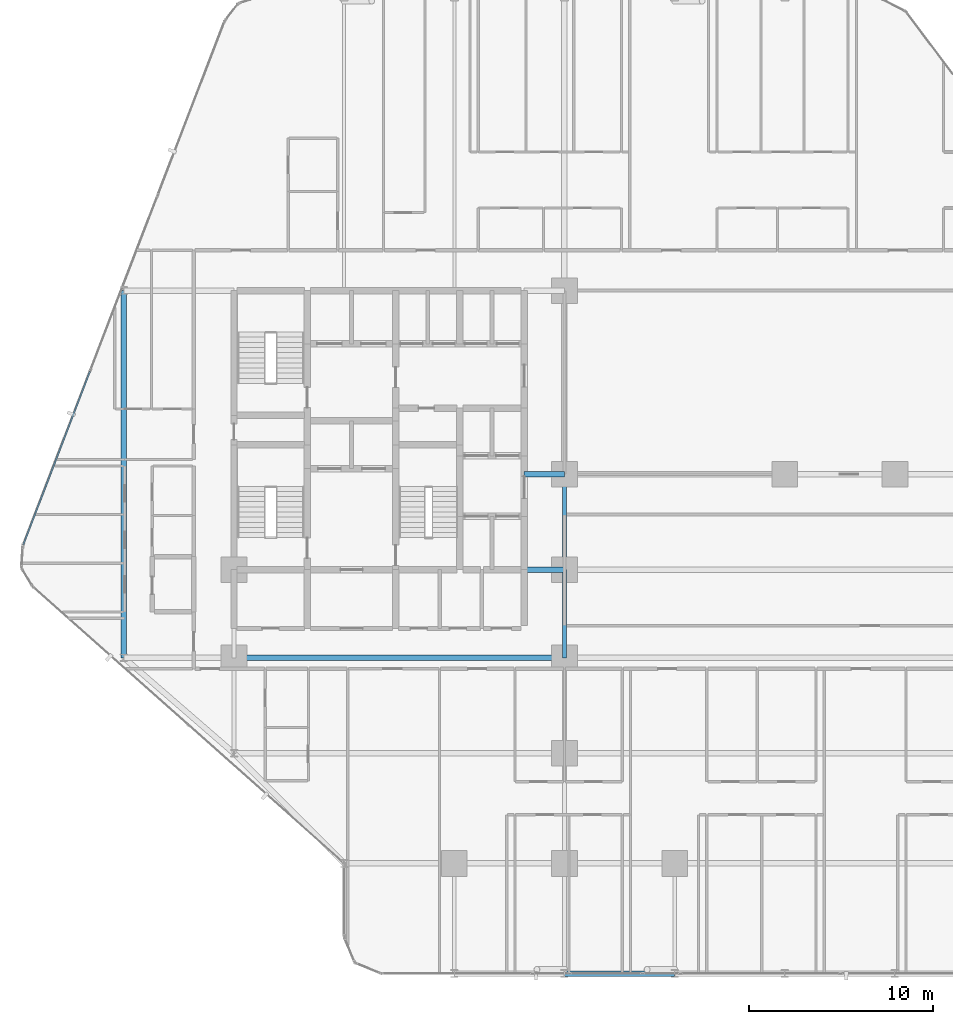
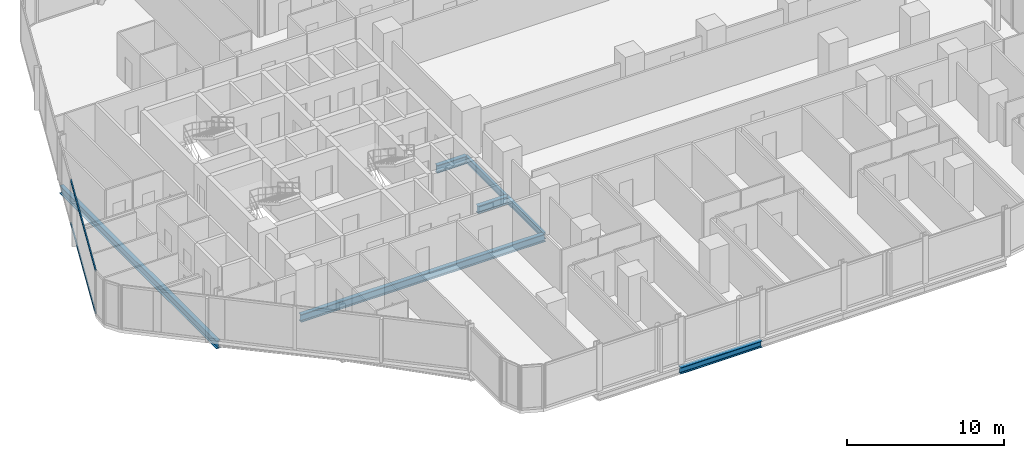
# One storey, part 6 of 34: 7 beams, 2 members, 1 element without a shape of its own.
"""IFC4 building model written with IfcOpenShell, lengths in metres."""

from ifc_helpers import new_model, si_unit, direction, frame, origin, origin_2d, place, context, subcontext, project, spatial, hollow_rectangle, i_section, extrude, material, layer, layer_set, material_profile, profile_set, type_object, element, aggregate, save


model = new_model("IFC4")

# Units and contexts
model_context = context("Model", 3, precision=1e-05, world=origin(), true_north=direction((0.0, 1.0)))
body_context = subcontext(model_context, "Body", "Model", "MODEL_VIEW")
ifc_project = project(units=[si_unit("LENGTHUNIT", "METRE"), si_unit("AREAUNIT", "SQUARE_METRE"), si_unit("VOLUMEUNIT", "CUBIC_METRE"), si_unit("PLANEANGLEUNIT", "RADIAN"), si_unit("MASSUNIT", "GRAM", prefix="KILO")], contexts=[model_context])

# Site, building, storey
site_placement = place(None, origin())
site = spatial("IfcSite", under=ifc_project, at=site_placement, CompositionType="ELEMENT")
building_placement = place(site_placement, origin())
building = spatial("IfcBuilding", under=site, at=building_placement, Name="Keshet Zoharim Tower", CompositionType="ELEMENT")
storey_placement = place(building_placement, frame((0.0, 0.0, 38.800048828125)))
storey = spatial("IfcBuildingStorey", under=building, at=storey_placement, Name="L08", CompositionType="ELEMENT", Elevation=38.800048828125)

# Beams
ifc_material_1 = material(Name="Steel S355", Category="steel")
ifc_material_profile_1 = material_profile(ifc_material_1, i_section(OverallWidth=0.300048828125, OverallDepth=0.60009765625, WebThickness=0.015380859375, FlangeThickness=0.030029296875, FilletRadius=0.027099609375, at=origin_2d()), Name="HEB600")
ifc_profile_set_1 = profile_set([ifc_material_profile_1], Name="Steel S355")
beam_type_1 = type_object("IfcBeamType", Name="BM-CLK-HB600", PredefinedType="BEAM", material=ifc_profile_set_1)
for number, where, z_axis, x_axis, name in (
    (1, (30.800048828125, 22.699951171875, -0.614990234375), (1.0, 0.0, 0.0), (0.0, 1.0, 0.0), "L08 Core Wall Link Girder 01"),
    (2, (30.800048828125, 27.89990234375, -0.614990234375), (1.0, 0.0, 0.0), (0.0, 1.0, 0.0), "L08 Core Wall Link Girder 02"),
):
    element("IfcBeam", number, at=place(storey_placement, frame(where, z_axis=z_axis, x_axis=x_axis)), inside=storey, type_object=beam_type_1, Name=name, PredefinedType="BEAM", context=body_context, shape_type="SweptSolid", body=[
        extrude(i_section(OverallWidth=0.300048828125, OverallDepth=0.60009765625, WebThickness=0.015380859375, FlangeThickness=0.030029296875, FilletRadius=0.027099609375, at=origin_2d()), origin(), (0.0, 0.0, 1.0), 2.199951171875),
    ])
ifc_material_profile_2 = material_profile(ifc_material_1, i_section(OverallWidth=0.300048828125, OverallDepth=0.60009765625, WebThickness=0.015380859375, FlangeThickness=0.030029296875, FilletRadius=0.027099609375, at=origin_2d()), Name="HEB600")
ifc_profile_set_2 = profile_set([ifc_material_profile_2], Name="Steel S355")
beam_type_2 = type_object("IfcBeamType", Name="BM-LNG-HB600", PredefinedType="BEAM", material=ifc_profile_set_2)
beam_1_placement = place(storey_placement, frame((15.0, 17.89990234375, -0.614990234375), z_axis=(1.0, 0.0, 0.0), x_axis=(0.0, 1.0, 0.0)))
element("IfcBeam", 3, at=beam_1_placement, inside=storey, type_object=beam_type_2, Name="L08 Primary Girder X-016", PredefinedType="BEAM", context=body_context, shape_type="SweptSolid", body=[
    extrude(i_section(OverallWidth=0.300048828125, OverallDepth=0.60009765625, WebThickness=0.015380859375, FlangeThickness=0.030029296875, FilletRadius=0.027099609375, at=origin_2d()), origin(), (0.0, 0.0, 1.0), 18.0),
])
beam_2_placement = place(storey_placement, frame((9.0, 17.89990234375, -0.614990234375), z_axis=(0.0, 1.0, 0.0), x_axis=(-1.0, 0.0, 0.0)))
element("IfcBeam", 4, at=beam_2_placement, inside=storey, type_object=beam_type_2, Name="L08 Primary Girder Y-001", PredefinedType="BEAM", context=body_context, shape_type="SweptSolid", body=[
    extrude(i_section(OverallWidth=0.300048828125, OverallDepth=0.60009765625, WebThickness=0.015380859375, FlangeThickness=0.030029296875, FilletRadius=0.027099609375, at=origin_2d()), origin(), (0.0, 0.0, 1.0), 20.0),
])
ifc_material_profile_3 = material_profile(ifc_material_1, i_section(OverallWidth=0.199951171875, OverallDepth=0.5, WebThickness=0.01025390625, FlangeThickness=0.01611328125, FilletRadius=0.02099609375, at=origin_2d()), Name="IPE500")
ifc_profile_set_3 = profile_set([ifc_material_profile_3], Name="Steel S355")
beam_type_3 = type_object("IfcBeamType", Name="BM-PRI-IP500", PredefinedType="BEAM", material=ifc_profile_set_3)
beam_3_placement = place(storey_placement, frame((33.0, 17.89990234375, -0.56494140625), z_axis=(0.0, 1.0, 0.0), x_axis=(-1.0, 0.0, 0.0)))
element("IfcBeam", 5, at=beam_3_placement, inside=storey, type_object=beam_type_3, Name="L08 Primary Girder Y-008", PredefinedType="BEAM", context=body_context, shape_type="SweptSolid", body=[
    extrude(i_section(OverallWidth=0.199951171875, OverallDepth=0.5, WebThickness=0.01025390625, FlangeThickness=0.01611328125, FilletRadius=0.02099609375, at=origin_2d()), origin(), (0.0, 0.0, 1.0), 4.800048828125),
])
beam_4_placement = place(storey_placement, frame((33.0, 22.699951171875, -0.56494140625), z_axis=(0.0, 1.0, 0.0), x_axis=(-1.0, 0.0, 0.0)))
element("IfcBeam", 6, at=beam_4_placement, inside=storey, type_object=beam_type_3, Name="L08 Primary Girder Y-009", PredefinedType="BEAM", context=body_context, shape_type="SweptSolid", body=[
    extrude(i_section(OverallWidth=0.199951171875, OverallDepth=0.5, WebThickness=0.01025390625, FlangeThickness=0.01611328125, FilletRadius=0.02099609375, at=origin_2d()), origin(), (0.0, 0.0, 1.0), 5.199951171875),
])
ifc_material_profile_4 = material_profile(ifc_material_1, i_section(OverallWidth=0.300048828125, OverallDepth=0.5, WebThickness=0.014404296875, FlangeThickness=0.028076171875, FilletRadius=0.027099609375, at=origin_2d()), Name="HEB500")
ifc_profile_set_4 = profile_set([ifc_material_profile_4], Name="Steel S355")
beam_type_4 = type_object("IfcBeamType", Name="BM-WEB-HB500", PredefinedType="BEAM", material=ifc_profile_set_4)
beam_5_placement = place(storey_placement, frame((33.0, 0.699951171875, -0.56494140625), z_axis=(1.0, 0.0, 0.0), x_axis=(0.0, 1.0, 0.0)))
element("IfcBeam", 7, at=beam_5_placement, inside=storey, type_object=beam_type_4, Name="L08 Primary Girder X-002", PredefinedType="BEAM", context=body_context, shape_type="SweptSolid", body=[
    extrude(i_section(OverallWidth=0.300048828125, OverallDepth=0.5, WebThickness=0.014404296875, FlangeThickness=0.028076171875, FilletRadius=0.027099609375, at=origin_2d()), origin(), (0.0, 0.0, 1.0), 6.0),
])

# Curtain wall, members
ifc_material_2 = material(Name="Aluminium 6063-T6", Category="aluminium")
ifc_layer = layer(ifc_material_2, 0.179931640625)
ifc_layer_set = layer_set([ifc_layer], Name="Aluminium 6063-T6")
curtain_wall_type = type_object("IfcCurtainWallType", Name="CW-SYS-01", PredefinedType="NOTDEFINED", material=ifc_layer_set)
curtain_wall_placement = place(storey_placement, origin())
curtain_wall = element("IfcCurtainWall", 8, at=curtain_wall_placement, inside=storey, type_object=curtain_wall_type, Name="L08 Unitised Curtain Wall 04", PredefinedType="NOTDEFINED")
ifc_material_profile_5 = material_profile(ifc_material_2, hollow_rectangle(XDim=0.0849609375, YDim=0.159912109375, WallThickness=0.00439453125, at=origin_2d()), Name="TRN-85x160")
ifc_profile_set_5 = profile_set([ifc_material_profile_5], Name="Aluminium 6063-T6")
member_type = type_object("IfcMemberType", Name="CWT-T16", PredefinedType="USERDEFINED", material=ifc_profile_set_5)
member_1_placement = place(storey_placement, frame((3.522216796875, 24.058349609375, 0.034912109375), z_axis=(0.358993631387, 0.93334000912, 0.0), x_axis=(-0.93334000912, 0.358993631387, 0.0)))
member_1 = element("IfcMember", 9, at=member_1_placement, type_object=member_type, Name="CW-01 transom 1.1", ObjectType="TRANSOM", PredefinedType="USERDEFINED", context=body_context, shape_type="SweptSolid", body=[
    extrude(hollow_rectangle(XDim=0.0849609375, YDim=0.159912109375, WallThickness=0.00439453125, at=origin_2d()), origin(), (0.0, 0.0, 1.0), 10.1181640625),
])
member_2_placement = place(storey_placement, frame((3.522216796875, 24.058349609375, 3.349853515625), z_axis=(0.358993631387, 0.93334000912, 0.0), x_axis=(-0.93334000912, 0.358993631387, 0.0)))
member_2 = element("IfcMember", 10, at=member_2_placement, type_object=member_type, Name="CW-01 transom 1.2", ObjectType="TRANSOM", PredefinedType="USERDEFINED", context=body_context, shape_type="SweptSolid", body=[
    extrude(hollow_rectangle(XDim=0.0849609375, YDim=0.159912109375, WallThickness=0.00439453125, at=origin_2d()), origin(), (0.0, 0.0, 1.0), 10.1181640625),
])
aggregate(curtain_wall, [member_1, member_2])

save(model, "model.ifc")
